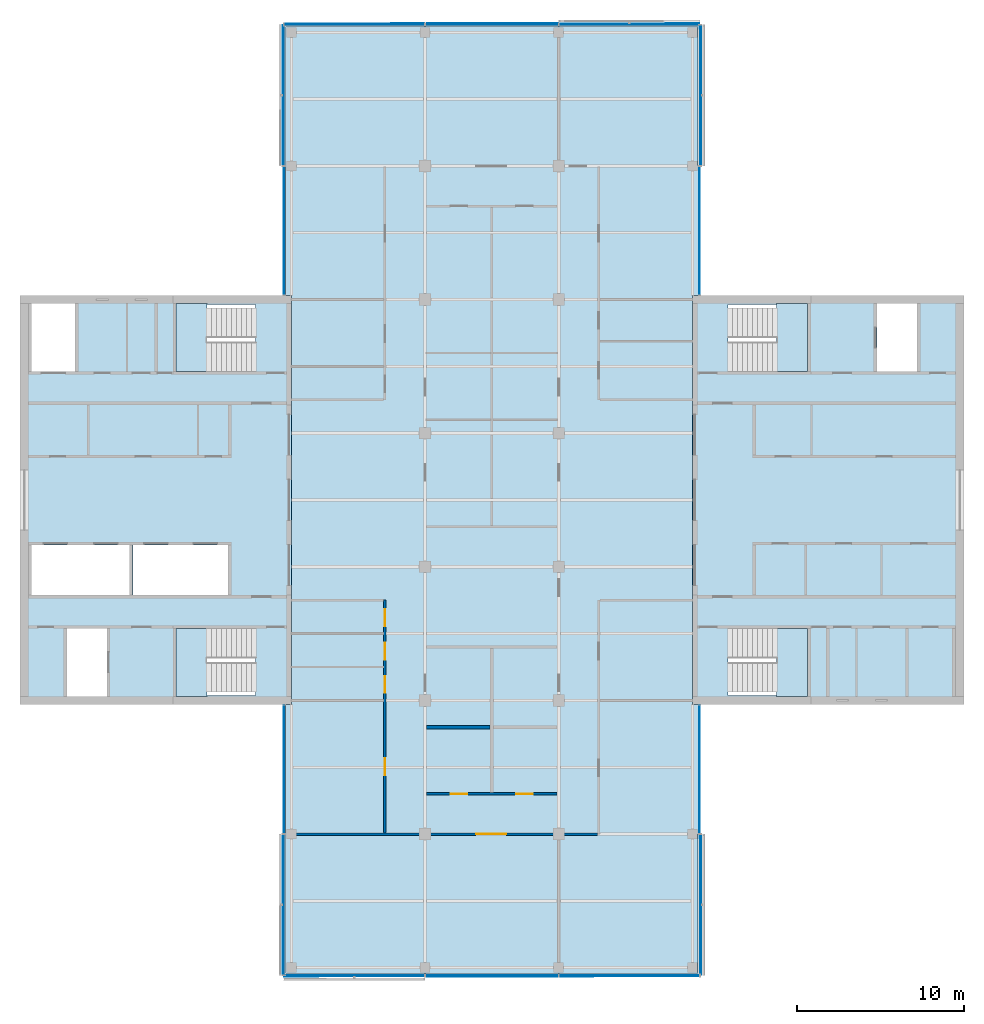
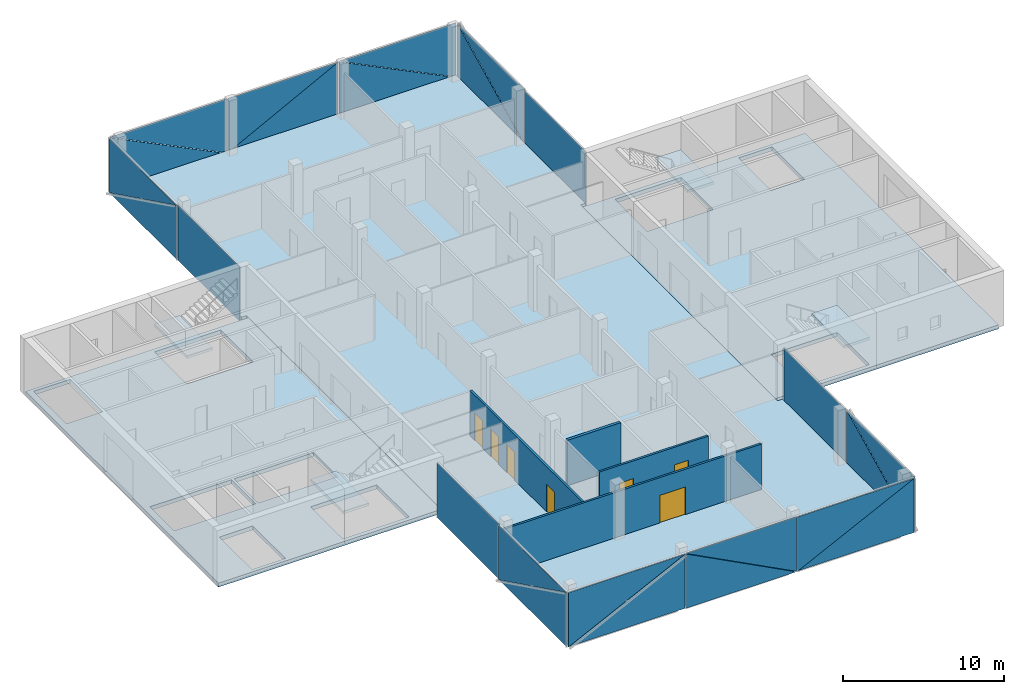
# One storey, part 8 of 16: 24 plates, 7 doors, 7 slabs, 4 walls, 7 openings, 14 elements without a shape of their own.
"""IFC4 building model written with IfcOpenShell, lengths in metres."""

from ifc_helpers import new_model, si_unit, direction, frame, frame_2d, origin, place, context, subcontext, project, spatial, polyline, rectangle, outline, extrude, material, layer, layer_set, type_object, element, fill, aggregate, save


model = new_model("IFC4")

# Units and contexts
model_context = context("Model", 3, precision=1e-05, world=origin(), true_north=direction((0.0, 1.0)))
body_context = subcontext(model_context, "Body", "Model", "MODEL_VIEW")
ifc_project = project(units=[si_unit("LENGTHUNIT", "METRE"), si_unit("AREAUNIT", "SQUARE_METRE"), si_unit("VOLUMEUNIT", "CUBIC_METRE"), si_unit("PLANEANGLEUNIT", "RADIAN"), si_unit("MASSUNIT", "GRAM", prefix="KILO")], contexts=[model_context])

# Site, building, storey
site_placement = place(None, origin())
site = spatial("IfcSite", under=ifc_project, at=site_placement, CompositionType="ELEMENT")
building_placement = place(site_placement, origin())
building = spatial("IfcBuilding", under=site, at=building_placement, Name="Crosswind Convention Tower", CompositionType="ELEMENT")
storey_placement = place(building_placement, frame((0.0, 0.0, 278.699951171875)))
storey = spatial("IfcBuildingStorey", under=building, at=storey_placement, Name="L60", CompositionType="ELEMENT", Elevation=278.699951171875)

# Slabs
ifc_material_1 = material(Name="Concrete C40/50", Category="concrete")
ifc_layer_1 = layer(ifc_material_1, 0.300048828125)
ifc_layer_set_1 = layer_set([ifc_layer_1], Name="Concrete C40/50")
slab_type_1 = type_object("IfcSlabType", Name="Composite floor slab 300", PredefinedType="FLOOR", material=ifc_layer_set_1)
slab_1_placement = place(storey_placement, frame((0.0, 0.0, -0.300048828125)))
element("IfcSlab", 1, at=slab_1_placement, inside=storey, type_object=slab_type_1, Name="Floor slab L60", PredefinedType="FLOOR", context=body_context, shape_type="SweptSolid", body=[
    extrude(outline(polyline([(137.35009765625, 71.64990234375), (137.0, 71.64990234375), (113.0, 71.64990234375), (112.64990234375, 71.64990234375), (112.64990234375, 72.0), (112.64990234375, 87.75), (113.0, 87.75), (113.0, 112.25), (112.64990234375, 112.25), (112.64990234375, 128.0), (112.64990234375, 128.35009765625), (113.0, 128.35009765625), (137.0, 128.35009765625), (137.35009765625, 128.35009765625), (137.35009765625, 128.0), (137.35009765625, 112.25), (137.0, 112.25), (137.0, 87.75), (137.35009765625, 87.75), (137.35009765625, 72.0), (137.35009765625, 71.64990234375)])), origin(), (0.0, 0.0, 1.0), 0.300048828125),
])
ifc_layer_2 = layer(ifc_material_1, 0.300048828125)
ifc_layer_set_2 = layer_set([ifc_layer_2], Name="Concrete C40/50")
slab_type_2 = type_object("IfcSlabType", Name="Concrete core floor slab 300", PredefinedType="FLOOR", material=ifc_layer_set_2)
slab_2_placement = place(storey_placement, frame((0.0, 0.0, -0.300048828125)))
element("IfcSlab", 2, at=slab_2_placement, inside=storey, type_object=slab_type_2, Name="Core floor slab E L60", PredefinedType="FLOOR", context=body_context, shape_type="SweptSolid", body=[
    extrude(outline(polyline([(137.0, 88.0), (153.0, 88.0), (153.0, 112.0), (137.0, 112.0), (137.0, 88.0)]), holes=[polyline([(150.449951171875, 107.699951171875), (150.449951171875, 111.75), (148.050048828125, 111.75), (148.050048828125, 107.699951171875), (150.449951171875, 107.699951171875)]), polyline([(143.89990234375, 107.699951171875), (143.89990234375, 111.699951171875), (139.14990234375, 111.699951171875), (139.14990234375, 107.699951171875), (143.89990234375, 107.699951171875)]), polyline([(143.89990234375, 88.300048828125), (143.89990234375, 92.300048828125), (139.14990234375, 92.300048828125), (139.14990234375, 88.300048828125), (143.89990234375, 88.300048828125)])]), origin(), (0.0, 0.0, 1.0), 0.300048828125),
])
slab_3_placement = place(storey_placement, frame((0.0, 0.0, -0.300048828125)))
element("IfcSlab", 3, at=slab_3_placement, inside=storey, type_object=slab_type_2, Name="Core floor slab W L60", PredefinedType="FLOOR", context=body_context, shape_type="SweptSolid", body=[
    extrude(outline(polyline([(97.0, 88.0), (113.0, 88.0), (113.0, 112.0), (97.0, 112.0), (97.0, 88.0)]), holes=[polyline([(109.199951171875, 94.300048828125), (109.199951171875, 97.300048828125), (103.5, 97.300048828125), (103.5, 94.300048828125), (109.199951171875, 94.300048828125)]), polyline([(103.300048828125, 94.300048828125), (103.300048828125, 97.300048828125), (97.449951171875, 97.300048828125), (97.449951171875, 94.300048828125), (103.300048828125, 94.300048828125)]), polyline([(101.949951171875, 88.25), (101.949951171875, 92.300048828125), (99.550048828125, 92.300048828125), (99.550048828125, 88.25), (101.949951171875, 88.25)]), polyline([(100.050048828125, 107.699951171875), (100.050048828125, 111.75), (97.449951171875, 111.75), (97.449951171875, 107.699951171875), (100.050048828125, 107.699951171875)]), polyline([(110.85009765625, 88.300048828125), (110.85009765625, 92.300048828125), (106.10009765625, 92.300048828125), (106.10009765625, 88.300048828125), (110.85009765625, 88.300048828125)]), polyline([(110.85009765625, 107.699951171875), (110.85009765625, 111.699951171875), (106.10009765625, 111.699951171875), (106.10009765625, 107.699951171875), (110.85009765625, 107.699951171875)])]), origin(), (0.0, 0.0, 1.0), 0.300048828125),
])

# Stair, slab
stair_type = type_object("IfcStairType", Name="Exit stair 1800 wide, 2 flights of 11 risers", PredefinedType="HALF_TURN_STAIR", material=ifc_material_1)
stair_1_placement = place(storey_placement, origin())
stair_1 = element("IfcStair", 4, at=stair_1_placement, inside=storey, type_object=stair_type, Name="Exit stair ST1 L60", ObjectType="ST5", PredefinedType="HALF_TURN_STAIR")
ifc_layer_3 = layer(ifc_material_1, 0.199951171875)
ifc_layer_set_3 = layer_set([ifc_layer_3], Name="Concrete C40/50")
slab_type_3 = type_object("IfcSlabType", Name="Stair landing 200", PredefinedType="LANDING", material=ifc_layer_set_3)
slab_4_placement = place(storey_placement, frame((0.0, 0.0, 1.900146484375)))
slab_4 = element("IfcSlab", 5, at=slab_4_placement, type_object=slab_type_3, Name="ST1 landing 1", PredefinedType="LANDING", context=body_context, shape_type="SweptSolid", body=[
    extrude(outline(polyline([(143.89990234375, 107.699951171875), (143.89990234375, 111.75), (142.050048828125, 111.75), (142.050048828125, 107.699951171875), (143.89990234375, 107.699951171875)])), origin(), (0.0, 0.0, 1.0), 0.199951171875),
])
aggregate(stair_1, [slab_4])

stair_2_placement = place(storey_placement, origin())
stair_2 = element("IfcStair", 6, at=stair_2_placement, inside=storey, type_object=stair_type, Name="Exit stair ST2 L60", ObjectType="ST5", PredefinedType="HALF_TURN_STAIR")
slab_5_placement = place(storey_placement, frame((0.0, 0.0, 1.900146484375)))
slab_5 = element("IfcSlab", 7, at=slab_5_placement, type_object=slab_type_3, Name="ST2 landing 1", PredefinedType="LANDING", context=body_context, shape_type="SweptSolid", body=[
    extrude(outline(polyline([(143.89990234375, 88.25), (143.89990234375, 92.300048828125), (142.050048828125, 92.300048828125), (142.050048828125, 88.25), (143.89990234375, 88.25)])), origin(), (0.0, 0.0, 1.0), 0.199951171875),
])
aggregate(stair_2, [slab_5])

stair_3_placement = place(storey_placement, origin())
stair_3 = element("IfcStair", 8, at=stair_3_placement, inside=storey, type_object=stair_type, Name="Exit stair ST3 L60", ObjectType="ST5", PredefinedType="HALF_TURN_STAIR")
slab_6_placement = place(storey_placement, frame((0.0, 0.0, 1.900146484375)))
slab_6 = element("IfcSlab", 9, at=slab_6_placement, type_object=slab_type_3, Name="ST3 landing 1", PredefinedType="LANDING", context=body_context, shape_type="SweptSolid", body=[
    extrude(outline(polyline([(107.949951171875, 88.25), (107.949951171875, 92.300048828125), (106.10009765625, 92.300048828125), (106.10009765625, 88.25), (107.949951171875, 88.25)])), origin(), (0.0, 0.0, 1.0), 0.199951171875),
])
aggregate(stair_3, [slab_6])

stair_4_placement = place(storey_placement, origin())
stair_4 = element("IfcStair", 10, at=stair_4_placement, inside=storey, type_object=stair_type, Name="Exit stair ST4 L60", ObjectType="ST5", PredefinedType="HALF_TURN_STAIR")
slab_7_placement = place(storey_placement, frame((0.0, 0.0, 1.900146484375)))
slab_7 = element("IfcSlab", 11, at=slab_7_placement, type_object=slab_type_3, Name="ST4 landing 1", PredefinedType="LANDING", context=body_context, shape_type="SweptSolid", body=[
    extrude(outline(polyline([(107.949951171875, 107.699951171875), (107.949951171875, 111.75), (106.10009765625, 111.75), (106.10009765625, 107.699951171875), (107.949951171875, 107.699951171875)])), origin(), (0.0, 0.0, 1.0), 0.199951171875),
])
aggregate(stair_4, [slab_7])

# Curtain wall, plate
ifc_material_2 = material(Name="Aluminium unitised curtain wall", Category="aluminium")
curtain_wall_type_1 = type_object("IfcCurtainWallType", Name="CORE END SLOT WALL 160", PredefinedType="USERDEFINED", material=ifc_material_2)
curtain_wall_1_placement = place(storey_placement, origin())
curtain_wall_1 = element("IfcCurtainWall", 12, at=curtain_wall_1_placement, inside=storey, type_object=curtain_wall_type_1, Name="CW6 L60 N-E.1-1 slot", ObjectType="UNITISED", PredefinedType="USERDEFINED")
ifc_material_3 = material(Name="Laminated insulating glass unit", Category="glass")
ifc_layer_4 = layer(ifc_material_3, 0.02587890625)
ifc_layer_set_4 = layer_set([ifc_layer_4], Name="TRIANGULAR GLASS PANEL 26")
plate_type_1 = type_object("IfcPlateType", Name="TRIANGULAR GLASS PANEL 26", PredefinedType="CURTAIN_PANEL", material=ifc_layer_set_4)
plate_1_placement = place(storey_placement, frame((137.456787109375, 112.300048828125, -0.300048828125), z_axis=(0.999999915215, 0.0, 0.000411788894), x_axis=(0.0, 1.0, 0.0)))
plate_1 = element("IfcPlate", 13, at=plate_1_placement, type_object=plate_type_1, Name="CW6 panel 1.1", PredefinedType="CURTAIN_PANEL", context=body_context, shape_type="SweptSolid", body=[
    extrude(outline(polyline([(0.0, 0.0), (7.64990234375, 0.0), (7.64990234375, 4.150146836245408), (0.0, 4.150146836245408), (0.0, 0.0)])), origin(), (0.0, 0.0, -1.0), 0.02587890625),
])
aggregate(curtain_wall_1, [plate_1])

curtain_wall_2_placement = place(storey_placement, origin())
curtain_wall_2 = element("IfcCurtainWall", 14, at=curtain_wall_2_placement, inside=storey, type_object=curtain_wall_type_1, Name="CW6 L60 N-W.1-2 slot", ObjectType="UNITISED", PredefinedType="USERDEFINED")
plate_2_placement = place(storey_placement, frame((112.543212890625, 119.949951171875, -0.300048828125), z_axis=(-0.999999915215, 0.0, 0.000411788894), x_axis=(0.0, -1.0, 0.0)))
plate_2 = element("IfcPlate", 15, at=plate_2_placement, type_object=plate_type_1, Name="CW6 panel 1.1", PredefinedType="CURTAIN_PANEL", context=body_context, shape_type="SweptSolid", body=[
    extrude(outline(polyline([(0.0, 0.0), (7.64990234375, 0.0), (7.64990234375, 4.150146836245408), (0.0, 4.150146836245408), (0.0, 0.0)])), origin(), (0.0, 0.0, -1.0), 0.02587890625),
])
aggregate(curtain_wall_2, [plate_2])

curtain_wall_3_placement = place(storey_placement, origin())
curtain_wall_3 = element("IfcCurtainWall", 16, at=curtain_wall_3_placement, inside=storey, type_object=curtain_wall_type_1, Name="CW6 L60 S-W.1-1 slot", ObjectType="UNITISED", PredefinedType="USERDEFINED")
plate_3_placement = place(storey_placement, frame((112.543212890625, 87.699951171875, -0.300048828125), z_axis=(-0.999999915215, 0.0, 0.000411788894), x_axis=(0.0, -1.0, 0.0)))
plate_3 = element("IfcPlate", 17, at=plate_3_placement, type_object=plate_type_1, Name="CW6 panel 1.1", PredefinedType="CURTAIN_PANEL", context=body_context, shape_type="SweptSolid", body=[
    extrude(outline(polyline([(0.0, 0.0), (7.64990234375, 0.0), (7.64990234375, 4.150146836245408), (0.0, 4.150146836245408), (0.0, 0.0)])), origin(), (0.0, 0.0, -1.0), 0.02587890625),
])
aggregate(curtain_wall_3, [plate_3])

curtain_wall_4_placement = place(storey_placement, origin())
curtain_wall_4 = element("IfcCurtainWall", 18, at=curtain_wall_4_placement, inside=storey, type_object=curtain_wall_type_1, Name="CW6 L60 S-E.1-2 slot", ObjectType="UNITISED", PredefinedType="USERDEFINED")
plate_4_placement = place(storey_placement, frame((137.456787109375, 80.050048828125, -0.300048828125), z_axis=(0.999999915215, 0.0, 0.000411788894), x_axis=(0.0, 1.0, 0.0)))
plate_4 = element("IfcPlate", 19, at=plate_4_placement, type_object=plate_type_1, Name="CW6 panel 1.1", PredefinedType="CURTAIN_PANEL", context=body_context, shape_type="SweptSolid", body=[
    extrude(outline(polyline([(0.0, 0.0), (7.64990234375, 0.0), (7.64990234375, 4.150146836245408), (0.0, 4.150146836245408), (0.0, 0.0)])), origin(), (0.0, 0.0, -1.0), 0.02587890625),
])
aggregate(curtain_wall_4, [plate_4])

# Curtain wall, plates
curtain_wall_type_2 = type_object("IfcCurtainWallType", Name="OFFICE UNITISED WALL 220", PredefinedType="USERDEFINED", material=ifc_material_2)
curtain_wall_5_placement = place(storey_placement, origin())
curtain_wall_5 = element("IfcCurtainWall", 20, at=curtain_wall_5_placement, inside=storey, type_object=curtain_wall_type_2, Name="CW3 L60 N-E 1", ObjectType="UNITISED", PredefinedType="USERDEFINED")
ifc_layer_5 = layer(ifc_material_3, 0.031982421875)
ifc_layer_set_5 = layer_set([ifc_layer_5], Name="TRIANGULAR GLASS PANEL 32")
plate_type_2 = type_object("IfcPlateType", Name="TRIANGULAR GLASS PANEL 32", PredefinedType="CURTAIN_PANEL", material=ifc_layer_set_5)
plate_5_placement = place(storey_placement, frame((137.492919921875, 128.425048828125, -0.300048828125), z_axis=(0.999999913924, 0.0, 0.000414913129), x_axis=(-0.000414913129, 0.0, 0.999999913924)))
plate_5 = element("IfcPlate", 21, at=plate_5_placement, type_object=plate_type_2, Name="CW3 panel 1.1", PredefinedType="CURTAIN_PANEL", context=body_context, shape_type="SweptSolid", body=[
    extrude(outline(polyline([(0.0, 0.0), (4.118896838915043, 0.0), (0.0, 8.367431640625), (0.0, 0.0)])), origin(), (0.0, 0.0, -1.0), 0.031982421875),
])
plate_6_placement = place(storey_placement, frame((137.525146484375, 120.034912109375, 3.830078125), z_axis=(0.999999913924, 0.0, 0.000414913129), x_axis=(0.000414913129, 0.0, -0.999999913924)))
plate_6 = element("IfcPlate", 22, at=plate_6_placement, type_object=plate_type_2, Name="CW3 panel 1.2", PredefinedType="CURTAIN_PANEL", context=body_context, shape_type="SweptSolid", body=[
    extrude(outline(polyline([(0.0, 0.0), (4.118896838915043, 0.0), (0.0, 8.367431640625), (0.0, 0.0)])), origin(), (0.0, 0.0, -1.0), 0.031982421875),
])
aggregate(curtain_wall_5, [plate_5, plate_6])

curtain_wall_6_placement = place(storey_placement, origin())
curtain_wall_6 = element("IfcCurtainWall", 23, at=curtain_wall_6_placement, inside=storey, type_object=curtain_wall_type_2, Name="CW3 L60 N-TIP 1", ObjectType="UNITISED", PredefinedType="USERDEFINED")
plate_7_placement = place(storey_placement, frame((129.034912109375, 128.492919921875, -0.300048828125), z_axis=(0.0, 0.999999913924, 0.000414913129), x_axis=(0.0, -0.000414913129, 0.999999913924)))
plate_7 = element("IfcPlate", 24, at=plate_7_placement, type_object=plate_type_2, Name="CW3 panel 1.1", PredefinedType="CURTAIN_PANEL", context=body_context, shape_type="SweptSolid", body=[
    extrude(outline(polyline([(0.0, 0.0), (4.118896838915043, 0.0), (0.0, 8.367431640625), (0.0, 0.0)])), origin(), (0.0, 0.0, -1.0), 0.031982421875),
])
plate_8_placement = place(storey_placement, frame((137.425048828125, 128.525146484375, 3.830078125), z_axis=(0.0, 0.999999913924, 0.000414913129), x_axis=(0.0, 0.000414913129, -0.999999913924)))
plate_8 = element("IfcPlate", 25, at=plate_8_placement, type_object=plate_type_2, Name="CW3 panel 1.2", PredefinedType="CURTAIN_PANEL", context=body_context, shape_type="SweptSolid", body=[
    extrude(outline(polyline([(0.0, 0.0), (4.118896838915043, 0.0), (0.0, 8.367431640625), (0.0, 0.0)])), origin(), (0.0, 0.0, -1.0), 0.031982421875),
])
plate_9_placement = place(storey_placement, frame((121.034912109375, 128.4912109375, 3.830078125), z_axis=(0.0, 0.999999913913, 0.000414937724), x_axis=(1.0, 0.0, 0.0)))
plate_9 = element("IfcPlate", 26, at=plate_9_placement, type_object=plate_type_2, Name="CW3 panel 2.1", PredefinedType="CURTAIN_PANEL", context=body_context, shape_type="SweptSolid", body=[
    extrude(outline(polyline([(0.0, 0.0), (7.908447265625, 0.0), (0.0, 4.118652698311059), (0.0, 0.0)])), origin(), (0.0, 0.0, -1.0), 0.031982421875),
])
plate_10_placement = place(storey_placement, frame((128.965087890625, 128.52685546875, -0.300048828125), z_axis=(0.0, 0.999999913924, 0.000414913129), x_axis=(-1.0, 0.0, 0.0)))
plate_10 = element("IfcPlate", 27, at=plate_10_placement, type_object=plate_type_2, Name="CW3 panel 2.2", PredefinedType="CURTAIN_PANEL", context=body_context, shape_type="SweptSolid", body=[
    extrude(outline(polyline([(0.0, 0.0), (7.908447265625, 0.0), (0.0, 4.118896838915043), (0.0, 0.0)])), origin(), (0.0, 0.0, -1.0), 0.031982421875),
])
plate_11_placement = place(storey_placement, frame((112.574951171875, 128.492919921875, -0.300048828125), z_axis=(0.0, 0.999999913924, 0.000414913129), x_axis=(0.0, -0.000414913129, 0.999999913924)))
plate_11 = element("IfcPlate", 28, at=plate_11_placement, type_object=plate_type_2, Name="CW3 panel 3.1", PredefinedType="CURTAIN_PANEL", context=body_context, shape_type="SweptSolid", body=[
    extrude(outline(polyline([(0.0, 0.0), (4.118896838915043, 0.0), (0.0, 8.367431640625), (0.0, 0.0)])), origin(), (0.0, 0.0, -1.0), 0.031982421875),
])
plate_12_placement = place(storey_placement, frame((120.965087890625, 128.525146484375, 3.830078125), z_axis=(0.0, 0.999999913924, 0.000414913129), x_axis=(0.0, 0.000414913129, -0.999999913924)))
plate_12 = element("IfcPlate", 29, at=plate_12_placement, type_object=plate_type_2, Name="CW3 panel 3.2", PredefinedType="CURTAIN_PANEL", context=body_context, shape_type="SweptSolid", body=[
    extrude(outline(polyline([(0.0, 0.0), (4.118896838915043, 0.0), (0.0, 8.367431640625), (0.0, 0.0)])), origin(), (0.0, 0.0, -1.0), 0.031982421875),
])
aggregate(curtain_wall_6, [plate_7, plate_8, plate_9, plate_10, plate_11, plate_12])

curtain_wall_7_placement = place(storey_placement, origin())
curtain_wall_7 = element("IfcCurtainWall", 30, at=curtain_wall_7_placement, inside=storey, type_object=curtain_wall_type_2, Name="CW3 L60 N-W 1", ObjectType="UNITISED", PredefinedType="USERDEFINED")
plate_13_placement = place(storey_placement, frame((112.507080078125, 120.034912109375, -0.300048828125), z_axis=(-0.999999913924, 0.0, 0.000414913129), x_axis=(0.000414913129, 0.0, 0.999999913924)))
plate_13 = element("IfcPlate", 31, at=plate_13_placement, type_object=plate_type_2, Name="CW3 panel 1.1", PredefinedType="CURTAIN_PANEL", context=body_context, shape_type="SweptSolid", body=[
    extrude(outline(polyline([(0.0, 0.0), (4.118896838915043, 0.0), (0.0, 8.367431640625), (0.0, 0.0)])), origin(), (0.0, 0.0, -1.0), 0.031982421875),
])
plate_14_placement = place(storey_placement, frame((112.474853515625, 128.425048828125, 3.830078125), z_axis=(-0.999999913924, 0.0, 0.000414913129), x_axis=(-0.000414913129, 0.0, -0.999999913924)))
plate_14 = element("IfcPlate", 32, at=plate_14_placement, type_object=plate_type_2, Name="CW3 panel 1.2", PredefinedType="CURTAIN_PANEL", context=body_context, shape_type="SweptSolid", body=[
    extrude(outline(polyline([(0.0, 0.0), (4.118896838915043, 0.0), (0.0, 8.367431640625), (0.0, 0.0)])), origin(), (0.0, 0.0, -1.0), 0.031982421875),
])
aggregate(curtain_wall_7, [plate_13, plate_14])

curtain_wall_8_placement = place(storey_placement, origin())
curtain_wall_8 = element("IfcCurtainWall", 33, at=curtain_wall_8_placement, inside=storey, type_object=curtain_wall_type_2, Name="CW3 L60 S-W 1", ObjectType="UNITISED", PredefinedType="USERDEFINED")
plate_15_placement = place(storey_placement, frame((112.507080078125, 71.574951171875, -0.300048828125), z_axis=(-0.999999913924, 0.0, 0.000414913129), x_axis=(0.000414913129, 0.0, 0.999999913924)))
plate_15 = element("IfcPlate", 34, at=plate_15_placement, type_object=plate_type_2, Name="CW3 panel 1.1", PredefinedType="CURTAIN_PANEL", context=body_context, shape_type="SweptSolid", body=[
    extrude(outline(polyline([(0.0, 0.0), (4.118896838915043, 0.0), (0.0, 8.367431640625), (0.0, 0.0)])), origin(), (0.0, 0.0, -1.0), 0.031982421875),
])
plate_16_placement = place(storey_placement, frame((112.474853515625, 79.965087890625, 3.830078125), z_axis=(-0.999999913924, 0.0, 0.000414913129), x_axis=(-0.000414913129, 0.0, -0.999999913924)))
plate_16 = element("IfcPlate", 35, at=plate_16_placement, type_object=plate_type_2, Name="CW3 panel 1.2", PredefinedType="CURTAIN_PANEL", context=body_context, shape_type="SweptSolid", body=[
    extrude(outline(polyline([(0.0, 0.0), (4.118896838915043, 0.0), (0.0, 8.367431640625), (0.0, 0.0)])), origin(), (0.0, 0.0, -1.0), 0.031982421875),
])
aggregate(curtain_wall_8, [plate_15, plate_16])

curtain_wall_9_placement = place(storey_placement, origin())
curtain_wall_9 = element("IfcCurtainWall", 36, at=curtain_wall_9_placement, inside=storey, type_object=curtain_wall_type_2, Name="CW3 L60 S-TIP 1", ObjectType="UNITISED", PredefinedType="USERDEFINED")
plate_17_placement = place(storey_placement, frame((120.965087890625, 71.507080078125, -0.300048828125), z_axis=(0.0, -0.999999913924, 0.000414913129), x_axis=(0.0, 0.000414913129, 0.999999913924)))
plate_17 = element("IfcPlate", 37, at=plate_17_placement, type_object=plate_type_2, Name="CW3 panel 1.1", PredefinedType="CURTAIN_PANEL", context=body_context, shape_type="SweptSolid", body=[
    extrude(outline(polyline([(0.0, 0.0), (4.118896838915043, 0.0), (0.0, 8.367431640625), (0.0, 0.0)])), origin(), (0.0, 0.0, -1.0), 0.031982421875),
])
plate_18_placement = place(storey_placement, frame((112.574951171875, 71.474853515625, 3.830078125), z_axis=(0.0, -0.999999913924, 0.000414913129), x_axis=(0.0, -0.000414913129, -0.999999913924)))
plate_18 = element("IfcPlate", 38, at=plate_18_placement, type_object=plate_type_2, Name="CW3 panel 1.2", PredefinedType="CURTAIN_PANEL", context=body_context, shape_type="SweptSolid", body=[
    extrude(outline(polyline([(0.0, 0.0), (4.118896838915043, 0.0), (0.0, 8.367431640625), (0.0, 0.0)])), origin(), (0.0, 0.0, -1.0), 0.031982421875),
])
plate_19_placement = place(storey_placement, frame((128.965087890625, 71.5087890625, 3.830078125), z_axis=(0.0, -0.999999913913, 0.000414937724), x_axis=(-1.0, 0.0, 0.0)))
plate_19 = element("IfcPlate", 39, at=plate_19_placement, type_object=plate_type_2, Name="CW3 panel 2.1", PredefinedType="CURTAIN_PANEL", context=body_context, shape_type="SweptSolid", body=[
    extrude(outline(polyline([(0.0, 0.0), (7.908447265625, 0.0), (0.0, 4.118652698311059), (0.0, 0.0)])), origin(), (0.0, 0.0, -1.0), 0.031982421875),
])
plate_20_placement = place(storey_placement, frame((121.034912109375, 71.47314453125, -0.300048828125), z_axis=(0.0, -0.999999913924, 0.000414913129), x_axis=(1.0, 0.0, 0.0)))
plate_20 = element("IfcPlate", 40, at=plate_20_placement, type_object=plate_type_2, Name="CW3 panel 2.2", PredefinedType="CURTAIN_PANEL", context=body_context, shape_type="SweptSolid", body=[
    extrude(outline(polyline([(0.0, 0.0), (7.908447265625, 0.0), (0.0, 4.118896838915043), (0.0, 0.0)])), origin(), (0.0, 0.0, -1.0), 0.031982421875),
])
plate_21_placement = place(storey_placement, frame((137.425048828125, 71.507080078125, -0.300048828125), z_axis=(0.0, -0.999999913924, 0.000414913129), x_axis=(0.0, 0.000414913129, 0.999999913924)))
plate_21 = element("IfcPlate", 41, at=plate_21_placement, type_object=plate_type_2, Name="CW3 panel 3.1", PredefinedType="CURTAIN_PANEL", context=body_context, shape_type="SweptSolid", body=[
    extrude(outline(polyline([(0.0, 0.0), (4.118896838915043, 0.0), (0.0, 8.367431640625), (0.0, 0.0)])), origin(), (0.0, 0.0, -1.0), 0.031982421875),
])
plate_22_placement = place(storey_placement, frame((129.034912109375, 71.474853515625, 3.830078125), z_axis=(0.0, -0.999999913924, 0.000414913129), x_axis=(0.0, -0.000414913129, -0.999999913924)))
plate_22 = element("IfcPlate", 42, at=plate_22_placement, type_object=plate_type_2, Name="CW3 panel 3.2", PredefinedType="CURTAIN_PANEL", context=body_context, shape_type="SweptSolid", body=[
    extrude(outline(polyline([(0.0, 0.0), (4.118896838915043, 0.0), (0.0, 8.367431640625), (0.0, 0.0)])), origin(), (0.0, 0.0, -1.0), 0.031982421875),
])
aggregate(curtain_wall_9, [plate_17, plate_18, plate_19, plate_20, plate_21, plate_22])

curtain_wall_10_placement = place(storey_placement, origin())
curtain_wall_10 = element("IfcCurtainWall", 43, at=curtain_wall_10_placement, inside=storey, type_object=curtain_wall_type_2, Name="CW3 L60 S-E 1", ObjectType="UNITISED", PredefinedType="USERDEFINED")
plate_23_placement = place(storey_placement, frame((137.492919921875, 79.965087890625, -0.300048828125), z_axis=(0.999999913924, 0.0, 0.000414913129), x_axis=(-0.000414913129, 0.0, 0.999999913924)))
plate_23 = element("IfcPlate", 44, at=plate_23_placement, type_object=plate_type_2, Name="CW3 panel 1.1", PredefinedType="CURTAIN_PANEL", context=body_context, shape_type="SweptSolid", body=[
    extrude(outline(polyline([(0.0, 0.0), (4.118896838915043, 0.0), (0.0, 8.367431640625), (0.0, 0.0)])), origin(), (0.0, 0.0, -1.0), 0.031982421875),
])
plate_24_placement = place(storey_placement, frame((137.525146484375, 71.574951171875, 3.830078125), z_axis=(0.999999913924, 0.0, 0.000414913129), x_axis=(0.000414913129, 0.0, -0.999999913924)))
plate_24 = element("IfcPlate", 45, at=plate_24_placement, type_object=plate_type_2, Name="CW3 panel 1.2", PredefinedType="CURTAIN_PANEL", context=body_context, shape_type="SweptSolid", body=[
    extrude(outline(polyline([(0.0, 0.0), (4.118896838915043, 0.0), (0.0, 8.367431640625), (0.0, 0.0)])), origin(), (0.0, 0.0, -1.0), 0.031982421875),
])
aggregate(curtain_wall_10, [plate_23, plate_24])

# Wall
ifc_material_4 = material(Name="Concrete blockwork", Category="masonry")
ifc_layer_6 = layer(ifc_material_4, 0.199951171875)
ifc_layer_set_6 = layer_set([ifc_layer_6], Name="COMPARTMENT WALL 200 BLOCKWORK")
wall_type_1 = type_object("IfcWallType", Name="COMPARTMENT WALL 200 BLOCKWORK", PredefinedType="SOLIDWALL", material=ifc_layer_set_6)
wall_1_placement = place(storey_placement, frame((121.074951171875, 86.39990234375, 0.0), z_axis=(0.0, 0.0, 1.0), x_axis=(1.0, 0.0, 0.0)))
element("IfcWall", 46, at=wall_1_placement, inside=storey, type_object=wall_type_1, Name="Compartment wall WT42", PredefinedType="SOLIDWALL", context=body_context, shape_type="SweptSolid", body=[
    extrude(rectangle(XDim=3.824951171875, YDim=0.199951171875, at=frame_2d((1.91259765625, 0.0))), origin(), (0.0, 0.0, 1.0), 3.44287109375),
])

# Wall, openings, doors
ifc_material_5 = material(Name="Fire-board partition with mineral wool", Category="gypsum")
ifc_layer_7 = layer(ifc_material_5, 0.14990234375)
ifc_layer_set_7 = layer_set([ifc_layer_7], Name="TENANCY WALL 150 TWO-HOUR BOARD")
wall_type_2 = type_object("IfcWallType", Name="TENANCY WALL 150 TWO-HOUR BOARD", PredefinedType="PARTITIONING", material=ifc_layer_set_7)
wall_2_placement = place(storey_placement, frame((118.60009765625, 80.074951171875, 0.0), z_axis=(0.0, 0.0, 1.0), x_axis=(0.0, 1.0, 0.0)))
wall_2 = element("IfcWall", 47, at=wall_2_placement, inside=storey, type_object=wall_type_2, Name="Tenancy wall WT41", PredefinedType="PARTITIONING", context=body_context, shape_type="SweptSolid", body=[
    extrude(rectangle(XDim=13.925048828125, YDim=0.14990234375, at=frame_2d((6.96240234375, 0.0))), origin(), (0.0, 0.0, 1.0), 3.44287109375),
])
opening_1_placement = place(wall_2_placement, frame((12.375, 0.0, 0.0)))
opening_1 = element("IfcOpeningElement", 48, at=opening_1_placement, cuts=wall_2, Name="Opening L60-58", PredefinedType="OPENING", context=body_context, shape_type="SweptSolid", body=[
    extrude(rectangle(XDim=1.0, YDim=2.10009765625, at=frame_2d((0.5, 1.050048828125))), frame((0.0, 0.0849609375, 0.0), z_axis=(0.0, -1.0, 0.0), x_axis=(1.0, 0.0, 0.0)), (0.0, 0.0, 1.0), 0.169921875),
])
opening_2_placement = place(wall_2_placement, frame((10.375, 0.0, 0.0)))
opening_2 = element("IfcOpeningElement", 49, at=opening_2_placement, cuts=wall_2, Name="Opening L60-59", PredefinedType="OPENING", context=body_context, shape_type="SweptSolid", body=[
    extrude(rectangle(XDim=1.0, YDim=2.10009765625, at=frame_2d((0.5, 1.050048828125))), frame((0.0, 0.0849609375, 0.0), z_axis=(0.0, -1.0, 0.0), x_axis=(1.0, 0.0, 0.0)), (0.0, 0.0, 1.0), 0.169921875),
])
opening_3_placement = place(wall_2_placement, frame((8.375, 0.0, 0.0)))
opening_3 = element("IfcOpeningElement", 50, at=opening_3_placement, cuts=wall_2, Name="Opening L60-60", PredefinedType="OPENING", context=body_context, shape_type="SweptSolid", body=[
    extrude(rectangle(XDim=1.0, YDim=2.10009765625, at=frame_2d((0.5, 1.050048828125))), frame((0.0, 0.0849609375, 0.0), z_axis=(0.0, -1.0, 0.0), x_axis=(1.0, 0.0, 0.0)), (0.0, 0.0, 1.0), 0.169921875),
])
opening_4_placement = place(wall_2_placement, frame((3.449951171875, 0.0, 0.0)))
opening_4 = element("IfcOpeningElement", 51, at=opening_4_placement, cuts=wall_2, Name="Opening L60-61", PredefinedType="OPENING", context=body_context, shape_type="SweptSolid", body=[
    extrude(rectangle(XDim=1.0, YDim=2.10009765625, at=frame_2d((0.5, 1.050048828125))), frame((0.0, 0.0849609375, 0.0), z_axis=(0.0, -1.0, 0.0), x_axis=(1.0, 0.0, 0.0)), (0.0, 0.0, 1.0), 0.169921875),
])
ifc_material_6 = material(Name="Timber fire door", Category="wood")
door_type_1 = type_object("IfcDoorType", Name="TENANCY ENTRANCE DOOR 1000X2100 FD30S", OperationType="NOTDEFINED", PredefinedType="DOOR", material=ifc_material_6)
door_1_placement = place(opening_1_placement, origin())
door_1 = element("IfcDoor", 52, at=door_1_placement, inside=storey, type_object=door_type_1, Name="Door L60-58", ObjectType="D41", OperationType="SINGLE_SWING_LEFT", OverallHeight=2.10009765625, OverallWidth=1.0, PredefinedType="DOOR", context=body_context, shape_type="SweptSolid", body=[
    extrude(rectangle(XDim=1.0, YDim=2.10009765625, at=frame_2d((0.5, 1.050048828125))), frame((0.0, 0.02490234375, 0.0), z_axis=(0.0, -1.0, 0.0), x_axis=(1.0, 0.0, 0.0)), (0.0, 0.0, 1.0), 0.050048828125),
])
fill(opening_1, door_1)
door_2_placement = place(opening_2_placement, origin())
door_2 = element("IfcDoor", 53, at=door_2_placement, inside=storey, type_object=door_type_1, Name="Door L60-59", ObjectType="D41", OperationType="SINGLE_SWING_LEFT", OverallHeight=2.10009765625, OverallWidth=1.0, PredefinedType="DOOR", context=body_context, shape_type="SweptSolid", body=[
    extrude(rectangle(XDim=1.0, YDim=2.10009765625, at=frame_2d((0.5, 1.050048828125))), frame((0.0, 0.02490234375, 0.0), z_axis=(0.0, -1.0, 0.0), x_axis=(1.0, 0.0, 0.0)), (0.0, 0.0, 1.0), 0.050048828125),
])
fill(opening_2, door_2)
door_3_placement = place(opening_3_placement, origin())
door_3 = element("IfcDoor", 54, at=door_3_placement, inside=storey, type_object=door_type_1, Name="Door L60-60", ObjectType="D41", OperationType="SINGLE_SWING_LEFT", OverallHeight=2.10009765625, OverallWidth=1.0, PredefinedType="DOOR", context=body_context, shape_type="SweptSolid", body=[
    extrude(rectangle(XDim=1.0, YDim=2.10009765625, at=frame_2d((0.5, 1.050048828125))), frame((0.0, 0.02490234375, 0.0), z_axis=(0.0, -1.0, 0.0), x_axis=(1.0, 0.0, 0.0)), (0.0, 0.0, 1.0), 0.050048828125),
])
fill(opening_3, door_3)
door_4_placement = place(opening_4_placement, origin())
door_4 = element("IfcDoor", 55, at=door_4_placement, inside=storey, type_object=door_type_1, Name="Door L60-61", ObjectType="D41", OperationType="SINGLE_SWING_RIGHT", OverallHeight=2.10009765625, OverallWidth=1.0, PredefinedType="DOOR", context=body_context, shape_type="SweptSolid", body=[
    extrude(rectangle(XDim=1.0, YDim=2.10009765625, at=frame_2d((0.5, 1.050048828125))), frame((0.0, 0.02490234375, 0.0), z_axis=(0.0, -1.0, 0.0), x_axis=(1.0, 0.0, 0.0)), (0.0, 0.0, 1.0), 0.050048828125),
])
fill(opening_4, door_4)

# Wall, opening, door
wall_3_placement = place(storey_placement, frame((112.72998046875, 80.0, 0.0), z_axis=(0.0, 0.0, 1.0), x_axis=(1.0, 0.0, 0.0)))
wall_3 = element("IfcWall", 56, at=wall_3_placement, inside=storey, type_object=wall_type_2, Name="Tenancy wall WT41", PredefinedType="PARTITIONING", context=body_context, shape_type="SweptSolid", body=[
    extrude(rectangle(XDim=18.594970703125, YDim=0.14990234375, at=frame_2d((9.29736328125, 0.0))), origin(), (0.0, 0.0, 1.0), 3.44287109375),
])
opening_5_placement = place(wall_3_placement, frame((11.320068359375, 0.0, 0.0)))
opening_5 = element("IfcOpeningElement", 57, at=opening_5_placement, cuts=wall_3, Name="Opening L60-64", PredefinedType="OPENING", context=body_context, shape_type="SweptSolid", body=[
    extrude(rectangle(XDim=1.800048828125, YDim=2.10009765625, at=frame_2d((0.89990234375, 1.050048828125))), frame((0.0, 0.0849609375, 0.0), z_axis=(0.0, -1.0, 0.0), x_axis=(1.0, 0.0, 0.0)), (0.0, 0.0, 1.0), 0.169921875),
])
door_type_2 = type_object("IfcDoorType", Name="TENANCY ENTRANCE DOUBLE DOOR 1800X2100 FD30S", OperationType="DOUBLE_DOOR_SINGLE_SWING", PredefinedType="DOOR", material=ifc_material_6)
door_5_placement = place(opening_5_placement, frame((1.800048828125, 0.0, 0.0), z_axis=(0.0, 0.0, 1.0), x_axis=(-1.0, 0.0, 0.0)))
door_5 = element("IfcDoor", 58, at=door_5_placement, inside=storey, type_object=door_type_2, Name="Door L60-64", ObjectType="D42", OperationType="DOUBLE_DOOR_SINGLE_SWING", OverallHeight=2.10009765625, OverallWidth=1.800048828125, PredefinedType="DOOR", context=body_context, shape_type="SweptSolid", body=[
    extrude(rectangle(XDim=1.800048828125, YDim=2.10009765625, at=frame_2d((0.89990234375, 1.050048828125))), frame((0.0, 0.02490234375, 0.0), z_axis=(0.0, -1.0, 0.0), x_axis=(1.0, 0.0, 0.0)), (0.0, 0.0, 1.0), 0.050048828125),
])
fill(opening_5, door_5)

# Wall, openings, doors
wall_4_placement = place(storey_placement, frame((121.074951171875, 82.39990234375, 0.0), z_axis=(0.0, 0.0, 1.0), x_axis=(1.0, 0.0, 0.0)))
wall_4 = element("IfcWall", 59, at=wall_4_placement, inside=storey, type_object=wall_type_2, Name="Tenancy wall WT41", PredefinedType="PARTITIONING", context=body_context, shape_type="SweptSolid", body=[
    extrude(rectangle(XDim=7.824951171875, YDim=0.14990234375, at=frame_2d((3.91259765625, 0.0))), origin(), (0.0, 0.0, 1.0), 3.44287109375),
])
opening_6_placement = place(wall_4_placement, frame((1.449951171875, 0.0, 0.0)))
opening_6 = element("IfcOpeningElement", 60, at=opening_6_placement, cuts=wall_4, Name="Opening L60-65", PredefinedType="OPENING", context=body_context, shape_type="SweptSolid", body=[
    extrude(rectangle(XDim=1.0, YDim=2.10009765625, at=frame_2d((0.5, 1.050048828125))), frame((0.0, 0.0849609375, 0.0), z_axis=(0.0, -1.0, 0.0), x_axis=(1.0, 0.0, 0.0)), (0.0, 0.0, 1.0), 0.169921875),
])
opening_7_placement = place(wall_4_placement, frame((5.375, 0.0, 0.0)))
opening_7 = element("IfcOpeningElement", 61, at=opening_7_placement, cuts=wall_4, Name="Opening L60-66", PredefinedType="OPENING", context=body_context, shape_type="SweptSolid", body=[
    extrude(rectangle(XDim=1.0, YDim=2.10009765625, at=frame_2d((0.5, 1.050048828125))), frame((0.0, 0.0849609375, 0.0), z_axis=(0.0, -1.0, 0.0), x_axis=(1.0, 0.0, 0.0)), (0.0, 0.0, 1.0), 0.169921875),
])
door_6_placement = place(opening_6_placement, origin())
door_6 = element("IfcDoor", 62, at=door_6_placement, inside=storey, type_object=door_type_1, Name="Door L60-65", ObjectType="D41", OperationType="SINGLE_SWING_RIGHT", OverallHeight=2.10009765625, OverallWidth=1.0, PredefinedType="DOOR", context=body_context, shape_type="SweptSolid", body=[
    extrude(rectangle(XDim=1.0, YDim=2.10009765625, at=frame_2d((0.5, 1.050048828125))), frame((0.0, 0.02490234375, 0.0), z_axis=(0.0, -1.0, 0.0), x_axis=(1.0, 0.0, 0.0)), (0.0, 0.0, 1.0), 0.050048828125),
])
fill(opening_6, door_6)
door_7_placement = place(opening_7_placement, origin())
door_7 = element("IfcDoor", 63, at=door_7_placement, inside=storey, type_object=door_type_1, Name="Door L60-66", ObjectType="D41", OperationType="SINGLE_SWING_LEFT", OverallHeight=2.10009765625, OverallWidth=1.0, PredefinedType="DOOR", context=body_context, shape_type="SweptSolid", body=[
    extrude(rectangle(XDim=1.0, YDim=2.10009765625, at=frame_2d((0.5, 1.050048828125))), frame((0.0, 0.02490234375, 0.0), z_axis=(0.0, -1.0, 0.0), x_axis=(1.0, 0.0, 0.0)), (0.0, 0.0, 1.0), 0.050048828125),
])
fill(opening_7, door_7)

save(model, "model.ifc")
